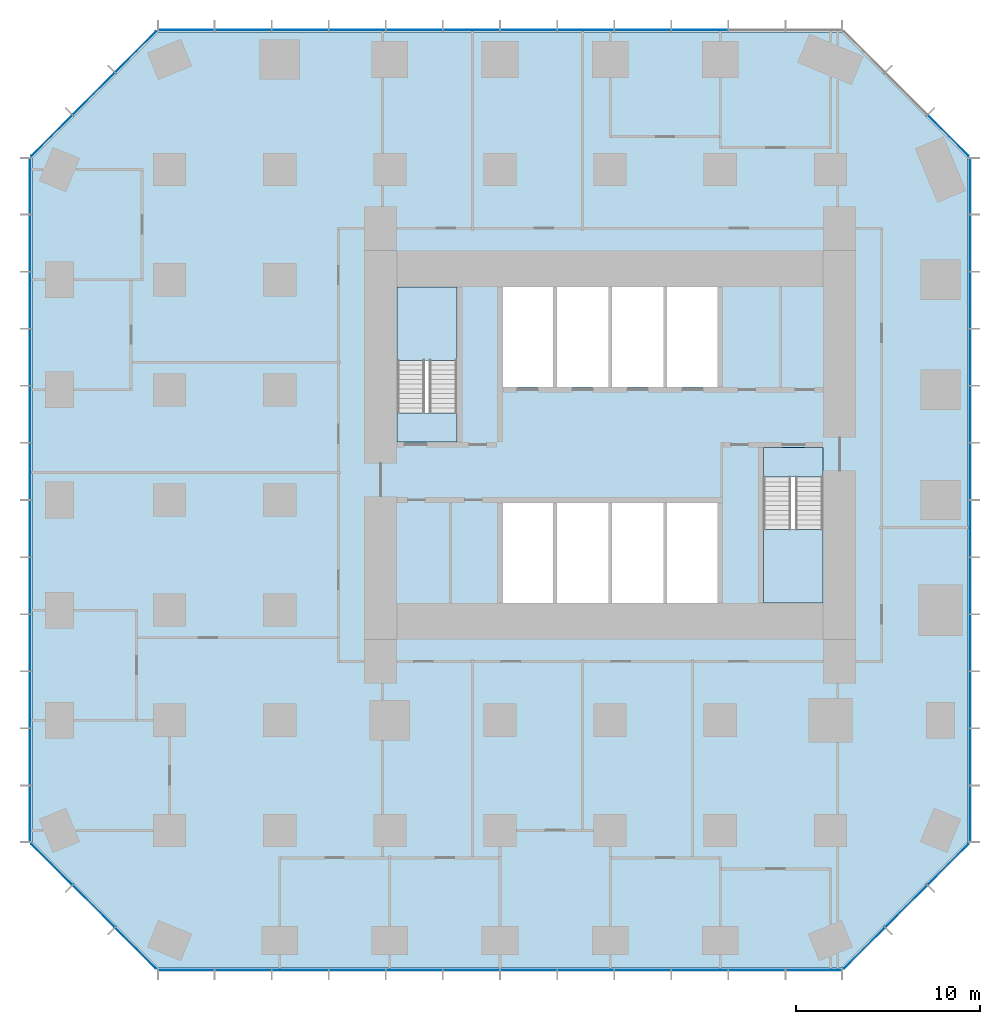
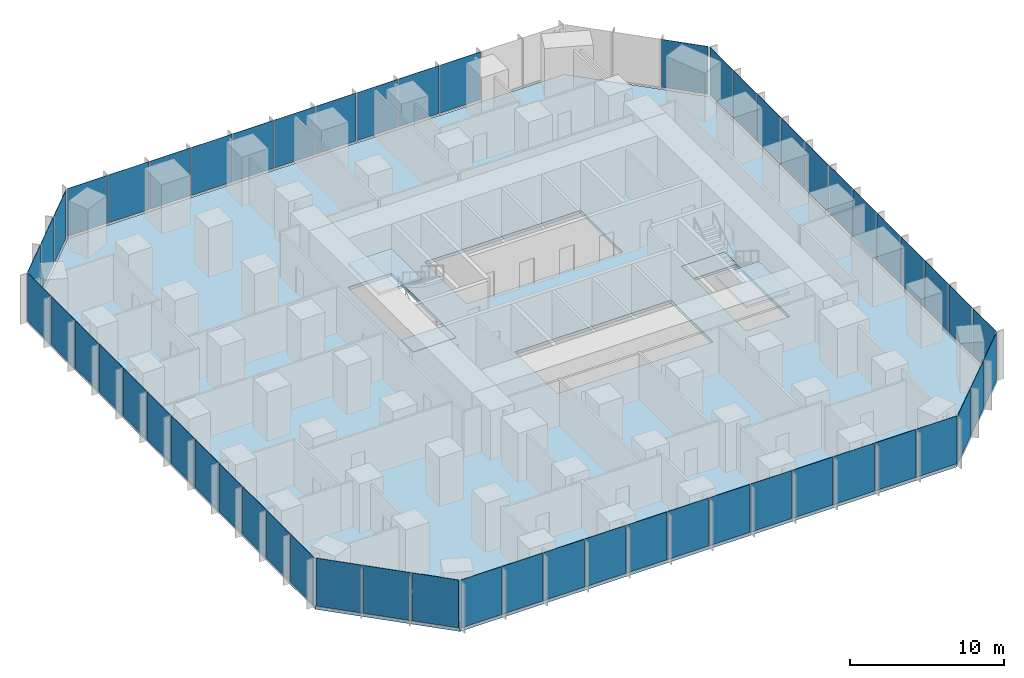
# One storey, part 7 of 12: 56 plates, 5 slabs, 10 elements without a shape of their own.
"""IFC4 building model written with IfcOpenShell, lengths in metres."""

import ifcopenshell
import ifcopenshell.guid

model = None  # the IFC model being written
_history = None  # IfcOwnerHistory: only IFC2X3 demands one
_inside = {}  # id of a spatial element -> (the spatial element, [elements in it])
_under = {}  # id of a project, library or spatial element -> (it, [spatial elements below it])
_declared = {}  # id of a project -> (the project, [libraries it declares])
_typed = {}  # id of a type object -> (the type object, [elements of that type])
_made_of = {}  # id of a material, layer set ... -> (it, [elements and type objects made of it])


def new_model(schema):
    """Start an empty IFC model of exactly this schema.

    Asked for "IFC4X3", IfcOpenShell would pick the latest addendum, in which some entities
    have other attributes; the version numbers below select the first issue.
    IFC2X3 requires an IfcOwnerHistory on every rooted entity: one is made here for all.
    """
    global model, _history
    if schema == "IFC4X3":
        model = ifcopenshell.file(schema_version=(4, 3, 0, 0))
    else:
        model = ifcopenshell.file(schema=schema)
    _inside.clear()
    _under.clear()
    _declared.clear()
    _typed.clear()
    _made_of.clear()
    _history = None
    if model.schema == "IFC2X3":
        org = make("IfcOrganization", Name="unknown")
        user = make(
            "IfcPersonAndOrganization",
            ThePerson=make("IfcPerson", FamilyName="unknown"),
            TheOrganization=org,
        )
        app = make(
            "IfcApplication",
            ApplicationDeveloper=org,
            Version="unknown",
            ApplicationFullName="unknown",
            ApplicationIdentifier="unknown",
        )
        _history = make(
            "IfcOwnerHistory",
            OwningUser=user,
            OwningApplication=app,
            ChangeAction="ADDED",
            CreationDate=0,
        )
    return model


def make(cls, **values):
    """One entity of the class cls with the attributes given. An attribute that is None is left unset."""
    return model.create_entity(
        cls, **{name: value for name, value in values.items() if value is not None}
    )


def rooted(cls, **values):
    """An entity with a GlobalId (a new one), such as an element, a storey or a relation."""
    return make(cls, GlobalId=ifcopenshell.guid.new(), OwnerHistory=_history, **values)


def si_unit(unit_type, name, prefix=None):
    """IfcSIUnit, for example si_unit("LENGTHUNIT", "METRE", prefix="MILLI")."""
    return make("IfcSIUnit", UnitType=unit_type, Prefix=prefix, Name=name)


def assignment(units):
    """IfcUnitAssignment: the units of a project."""
    return None if units is None else make("IfcUnitAssignment", Units=units)


def point(xyz):
    """IfcCartesianPoint."""
    return None if xyz is None else make("IfcCartesianPoint", Coordinates=xyz)


def direction(xyz):
    """IfcDirection."""
    return None if xyz is None else make("IfcDirection", DirectionRatios=xyz)


def frame(location, z_axis=None, x_axis=None):
    """IfcAxis2Placement3D, a coordinate frame: its origin and axes. An axis left out is left unset."""
    return make(
        "IfcAxis2Placement3D",
        Location=point(location),
        Axis=direction(z_axis),
        RefDirection=direction(x_axis),
    )


def frame_2d(location, x_axis=None):
    """IfcAxis2Placement2D, a coordinate frame in the plane: its origin and x axis."""
    return make(
        "IfcAxis2Placement2D", Location=point(location), RefDirection=direction(x_axis)
    )


def origin():
    """The frame at (0, 0, 0) with its axes left unset."""
    return frame((0.0, 0.0, 0.0))


def origin_2d():
    """The frame at (0, 0) in the plane with its x axis left unset."""
    return frame_2d((0.0, 0.0))


def place(relative_to, where):
    """IfcLocalPlacement: puts the frame where relative to a parent placement (None: the world)."""
    return make(
        "IfcLocalPlacement", PlacementRelTo=relative_to, RelativePlacement=where
    )


def context(
    kind, dimensions, precision=None, world=None, true_north=None, identifier=None
):
    """IfcGeometricRepresentationContext, for example the 3D "Model" context."""
    return make(
        "IfcGeometricRepresentationContext",
        ContextIdentifier=identifier,
        ContextType=kind,
        CoordinateSpaceDimension=dimensions,
        Precision=precision,
        WorldCoordinateSystem=world,
        TrueNorth=true_north,
    )


def subcontext(parent, identifier, kind, view, scale=None):
    """IfcGeometricRepresentationSubContext, for example "Body" below "Model"."""
    return make(
        "IfcGeometricRepresentationSubContext",
        ContextIdentifier=identifier,
        ContextType=kind,
        ParentContext=parent,
        TargetScale=scale,
        TargetView=view,
    )


def project(units=None, contexts=None):
    """IfcProject with its units and contexts."""
    return rooted(
        "IfcProject",
        Name="project",
        RepresentationContexts=contexts,
        UnitsInContext=assignment(units),
    )


def spatial(cls, under=None, at=None, **own):
    """A site, building, storey or space (cls), placed at a placement, below another one or the project."""
    s = rooted(cls, ObjectPlacement=at, **own)
    if under is not None:
        _under.setdefault(under.id(), (under, []))[1].append(s)
    return s


def polyline(points):
    """IfcPolyline through the points."""
    return make("IfcPolyline", Points=[point(p) for p in points])


def profile(cls, at=None, kind="AREA", **sizes):
    """A parametric profile (cls). Its sizes go by their IFC names, for example OverallWidth=200.0."""
    return make(cls, ProfileType=kind, Position=at, **sizes)


def rectangle(**sizes):
    """IfcRectangleProfileDef."""
    return profile("IfcRectangleProfileDef", **sizes)


def outline(outer, holes=None, kind="AREA"):
    """IfcArbitraryClosedProfileDef: a profile drawn as a closed curve; with holes, ...WithVoids."""
    if holes is None:
        return make("IfcArbitraryClosedProfileDef", ProfileType=kind, OuterCurve=outer)
    return make(
        "IfcArbitraryProfileDefWithVoids",
        ProfileType=kind,
        OuterCurve=outer,
        InnerCurves=holes,
    )


def extrude(swept, where, along, depth):
    """IfcExtrudedAreaSolid: the profile swept, set in the frame where, extruded along a direction by depth."""
    return make(
        "IfcExtrudedAreaSolid",
        SweptArea=swept,
        Position=where,
        ExtrudedDirection=direction(along),
        Depth=depth,
    )


def shape(context_of_items, identifier, shape_type, items):
    """IfcShapeRepresentation: the items that make up one representation, for example the "Body"."""
    return make(
        "IfcShapeRepresentation",
        ContextOfItems=context_of_items,
        RepresentationIdentifier=identifier,
        RepresentationType=shape_type,
        Items=items,
    )


def material(Name=None, Category=None):
    """IfcMaterial."""
    return make("IfcMaterial", Name=Name, Category=Category)


def layer(
    of_material, thickness, ventilated=None, Name=None, Category=None, Priority=None
):
    """IfcMaterialLayer: one layer of a wall or slab, of a material (None: an air gap)."""
    return make(
        "IfcMaterialLayer",
        Material=of_material,
        LayerThickness=thickness,
        IsVentilated=ventilated,
        Name=Name,
        Category=Category,
        Priority=Priority,
    )


def layer_set(layers, Name=None):
    """IfcMaterialLayerSet."""
    return make("IfcMaterialLayerSet", MaterialLayers=layers, LayerSetName=Name)


def made_of(thing, what):
    """Note that an element or type object is made of a material, layer set ...; save() writes the relation."""
    if what is not None:
        _made_of.setdefault(what.id(), (what, []))[1].append(thing)
    return thing


def type_object(cls, material=None, **own):
    """A type object (cls), such as IfcWallType, which elements share."""
    return made_of(rooted(cls, **own), material)


def element(
    cls,
    number,
    at=None,
    inside=None,
    cuts=None,
    type_object=None,
    material=None,
    context=None,
    identifier="Body",
    shape_type=None,
    held_by="IfcProductDefinitionShape",
    body=None,
    shapes=None,
    **own,
):
    """One element of the class cls, such as IfcWall. Its Tag is "e" and its number.

    at: its placement. inside: the storey or other place that contains it. cuts: it is an
    opening in that element (IfcRelVoidsElement). A single representation is given by context,
    identifier, shape_type and body (its items); several are given by shapes. held_by: the class
    of the entity that holds the representations. save() writes the other relations.
    """
    e = rooted(cls, Tag="e%d" % number, ObjectPlacement=at, **own)
    if body is not None:
        shapes = [shape(context, identifier, shape_type, body)]
    if shapes is not None:
        e.Representation = make(held_by, Representations=shapes)
    if inside is not None:
        _inside.setdefault(inside.id(), (inside, []))[1].append(e)
    if cuts is not None:
        rooted(
            "IfcRelVoidsElement", RelatingBuildingElement=cuts, RelatedOpeningElement=e
        )
    if type_object is not None:
        _typed.setdefault(type_object.id(), (type_object, []))[1].append(e)
    return made_of(e, material)


def aggregate(whole, parts):
    """IfcRelAggregates: a whole, such as a stair, and the parts it consists of."""
    return rooted("IfcRelAggregates", RelatingObject=whole, RelatedObjects=parts)


def save(model, path):
    """Write the relations noted so far, then the file.

    IfcRelAggregates (storeys below a building ...), IfcRelContainedInSpatialStructure (elements
    in a storey), IfcRelDefinesByType, IfcRelAssociatesMaterial and IfcRelDeclares: one each for
    every whole, place, type object, material and project.
    """
    for whole, parts in _under.values():
        aggregate(whole, parts)
    for where, things in _inside.values():
        rooted(
            "IfcRelContainedInSpatialStructure",
            RelatedElements=things,
            RelatingStructure=where,
        )
    for kind, things in _typed.values():
        rooted("IfcRelDefinesByType", RelatedObjects=things, RelatingType=kind)
    for what, things in _made_of.values():
        rooted("IfcRelAssociatesMaterial", RelatedObjects=things, RelatingMaterial=what)
    for by, libraries in _declared.values():
        rooted("IfcRelDeclares", RelatingContext=by, RelatedDefinitions=libraries)
    model.write(path)


model = new_model("IFC4")

# Units and contexts
model_context = context("Model", 3, precision=1e-05, world=origin(), true_north=direction((0.0, 1.0)))
body_context = subcontext(model_context, "Body", "Model", "MODEL_VIEW")
ifc_project = project(units=[si_unit("LENGTHUNIT", "METRE"), si_unit("AREAUNIT", "SQUARE_METRE"), si_unit("VOLUMEUNIT", "CUBIC_METRE"), si_unit("PLANEANGLEUNIT", "RADIAN"), si_unit("MASSUNIT", "GRAM", prefix="KILO")], contexts=[model_context])

# Site, building, storey
site_placement = place(None, origin())
site = spatial("IfcSite", under=ifc_project, at=site_placement, CompositionType="ELEMENT")
building_placement = place(site_placement, origin())
building = spatial("IfcBuilding", under=site, at=building_placement, Name="Highveld Stack Headquarters", CompositionType="ELEMENT")
storey_placement = place(building_placement, frame((0.0, 0.0, 26.0)))
storey = spatial("IfcBuildingStorey", under=building, at=storey_placement, Name="L05", CompositionType="ELEMENT", Elevation=26.0)

# Curtain wall, plates
ifc_material_1 = material(Name="Aluminium bronze anodised", Category="aluminium")
ifc_layer_1 = layer(ifc_material_1, 0.199951171875)
ifc_layer_set_1 = layer_set([ifc_layer_1], Name="Aluminium bronze anodised")
curtain_wall_type_1 = type_object("IfcCurtainWallType", Name="CW1 TOWER UNITISED CURTAIN WALL", PredefinedType="NOTDEFINED", material=ifc_layer_set_1)
curtain_wall_1_placement = place(storey_placement, origin())
curtain_wall_1 = element("IfcCurtainWall", 1, at=curtain_wall_1_placement, inside=storey, type_object=curtain_wall_type_1, Name="Curtain wall CW1 L05 S", PredefinedType="NOTDEFINED")
ifc_material_2 = material(Name="Glass bronze tinted double glazed unit", Category="glass")
ifc_layer_2 = layer(ifc_material_2, 0.028076171875)
ifc_layer_set_2 = layer_set([ifc_layer_2], Name="Glass bronze tinted double glazed unit")
plate_type_1 = type_object("IfcPlateType", Name="CW1 PANEL BRONZE TINTED DOUBLE GLAZED UNIT", PredefinedType="CURTAIN_PANEL", material=ifc_layer_set_2)
plate_1_placement = place(storey_placement, frame((-17.09130859375, -25.60009765625, 0.10009765625), z_axis=(0.0, 0.0, 1.0), x_axis=(1.0, 0.0, 0.0)))
plate_1 = element("IfcPlate", 2, at=plate_1_placement, type_object=plate_type_1, Name="CW1 panel L05 1.1", PredefinedType="CURTAIN_PANEL", context=body_context, shape_type="SweptSolid", body=[
    extrude(rectangle(XDim=3.012939453125, YDim=0.028076171875, at=origin_2d()), origin(), (0.0, 0.0, 1.0), 3.800048828125),
])
plate_2_placement = place(storey_placement, frame((-13.9970703125, -25.60009765625, 0.10009765625), z_axis=(0.0, 0.0, 1.0), x_axis=(1.0, 0.0, 0.0)))
plate_2 = element("IfcPlate", 3, at=plate_2_placement, type_object=plate_type_1, Name="CW1 panel L05 2.1", PredefinedType="CURTAIN_PANEL", context=body_context, shape_type="SweptSolid", body=[
    extrude(rectangle(XDim=3.04541015625, YDim=0.028076171875, at=origin_2d()), origin(), (0.0, 0.0, 1.0), 3.800048828125),
])
plate_3_placement = place(storey_placement, frame((-10.88671875, -25.60009765625, 0.10009765625), z_axis=(0.0, 0.0, 1.0), x_axis=(1.0, 0.0, 0.0)))
plate_3 = element("IfcPlate", 4, at=plate_3_placement, type_object=plate_type_1, Name="CW1 panel L05 3.1", PredefinedType="CURTAIN_PANEL", context=body_context, shape_type="SweptSolid", body=[
    extrude(rectangle(XDim=3.04541015625, YDim=0.028076171875, at=origin_2d()), origin(), (0.0, 0.0, 1.0), 3.800048828125),
])
plate_4_placement = place(storey_placement, frame((-7.776123046875, -25.60009765625, 0.10009765625), z_axis=(0.0, 0.0, 1.0), x_axis=(1.0, 0.0, 0.0)))
plate_4 = element("IfcPlate", 5, at=plate_4_placement, type_object=plate_type_1, Name="CW1 panel L05 4.1", PredefinedType="CURTAIN_PANEL", context=body_context, shape_type="SweptSolid", body=[
    extrude(rectangle(XDim=3.04541015625, YDim=0.028076171875, at=origin_2d()), origin(), (0.0, 0.0, 1.0), 3.800048828125),
])
plate_5_placement = place(storey_placement, frame((-4.665771484375, -25.60009765625, 0.10009765625), z_axis=(0.0, 0.0, 1.0), x_axis=(1.0, 0.0, 0.0)))
plate_5 = element("IfcPlate", 6, at=plate_5_placement, type_object=plate_type_1, Name="CW1 panel L05 5.1", PredefinedType="CURTAIN_PANEL", context=body_context, shape_type="SweptSolid", body=[
    extrude(rectangle(XDim=3.04541015625, YDim=0.028076171875, at=origin_2d()), origin(), (0.0, 0.0, 1.0), 3.800048828125),
])
plate_6_placement = place(storey_placement, frame((-1.55517578125, -25.60009765625, 0.10009765625), z_axis=(0.0, 0.0, 1.0), x_axis=(1.0, 0.0, 0.0)))
plate_6 = element("IfcPlate", 7, at=plate_6_placement, type_object=plate_type_1, Name="CW1 panel L05 6.1", PredefinedType="CURTAIN_PANEL", context=body_context, shape_type="SweptSolid", body=[
    extrude(rectangle(XDim=3.04541015625, YDim=0.028076171875, at=origin_2d()), origin(), (0.0, 0.0, 1.0), 3.800048828125),
])
plate_7_placement = place(storey_placement, frame((1.55517578125, -25.60009765625, 0.10009765625), z_axis=(0.0, 0.0, 1.0), x_axis=(1.0, 0.0, 0.0)))
plate_7 = element("IfcPlate", 8, at=plate_7_placement, type_object=plate_type_1, Name="CW1 panel L05 7.1", PredefinedType="CURTAIN_PANEL", context=body_context, shape_type="SweptSolid", body=[
    extrude(rectangle(XDim=3.04541015625, YDim=0.028076171875, at=origin_2d()), origin(), (0.0, 0.0, 1.0), 3.800048828125),
])
plate_8_placement = place(storey_placement, frame((4.665771484375, -25.60009765625, 0.10009765625), z_axis=(0.0, 0.0, 1.0), x_axis=(1.0, 0.0, 0.0)))
plate_8 = element("IfcPlate", 9, at=plate_8_placement, type_object=plate_type_1, Name="CW1 panel L05 8.1", PredefinedType="CURTAIN_PANEL", context=body_context, shape_type="SweptSolid", body=[
    extrude(rectangle(XDim=3.04541015625, YDim=0.028076171875, at=origin_2d()), origin(), (0.0, 0.0, 1.0), 3.800048828125),
])
plate_9_placement = place(storey_placement, frame((7.776123046875, -25.60009765625, 0.10009765625), z_axis=(0.0, 0.0, 1.0), x_axis=(1.0, 0.0, 0.0)))
plate_9 = element("IfcPlate", 10, at=plate_9_placement, type_object=plate_type_1, Name="CW1 panel L05 9.1", PredefinedType="CURTAIN_PANEL", context=body_context, shape_type="SweptSolid", body=[
    extrude(rectangle(XDim=3.04541015625, YDim=0.028076171875, at=origin_2d()), origin(), (0.0, 0.0, 1.0), 3.800048828125),
])
plate_10_placement = place(storey_placement, frame((10.88671875, -25.60009765625, 0.10009765625), z_axis=(0.0, 0.0, 1.0), x_axis=(1.0, 0.0, 0.0)))
plate_10 = element("IfcPlate", 11, at=plate_10_placement, type_object=plate_type_1, Name="CW1 panel L05 10.1", PredefinedType="CURTAIN_PANEL", context=body_context, shape_type="SweptSolid", body=[
    extrude(rectangle(XDim=3.04541015625, YDim=0.028076171875, at=origin_2d()), origin(), (0.0, 0.0, 1.0), 3.800048828125),
])
plate_11_placement = place(storey_placement, frame((13.9970703125, -25.60009765625, 0.10009765625), z_axis=(0.0, 0.0, 1.0), x_axis=(1.0, 0.0, 0.0)))
plate_11 = element("IfcPlate", 12, at=plate_11_placement, type_object=plate_type_1, Name="CW1 panel L05 11.1", PredefinedType="CURTAIN_PANEL", context=body_context, shape_type="SweptSolid", body=[
    extrude(rectangle(XDim=3.04541015625, YDim=0.028076171875, at=origin_2d()), origin(), (0.0, 0.0, 1.0), 3.800048828125),
])
plate_12_placement = place(storey_placement, frame((17.09130859375, -25.60009765625, 0.10009765625), z_axis=(0.0, 0.0, 1.0), x_axis=(1.0, 0.0, 0.0)))
plate_12 = element("IfcPlate", 13, at=plate_12_placement, type_object=plate_type_1, Name="CW1 panel L05 12.1", PredefinedType="CURTAIN_PANEL", context=body_context, shape_type="SweptSolid", body=[
    extrude(rectangle(XDim=3.012939453125, YDim=0.028076171875, at=origin_2d()), origin(), (0.0, 0.0, 1.0), 3.800048828125),
])
aggregate(curtain_wall_1, [plate_1, plate_2, plate_3, plate_4, plate_5, plate_6, plate_7, plate_8, plate_9, plate_10, plate_11, plate_12])

curtain_wall_2_placement = place(storey_placement, origin())
curtain_wall_2 = element("IfcCurtainWall", 14, at=curtain_wall_2_placement, inside=storey, type_object=curtain_wall_type_1, Name="Curtain wall CW1 L05 E", PredefinedType="NOTDEFINED")
plate_13_placement = place(storey_placement, frame((25.60009765625, -17.09130859375, 0.10009765625), z_axis=(0.0, 0.0, 1.0), x_axis=(0.0, 1.0, 0.0)))
plate_13 = element("IfcPlate", 15, at=plate_13_placement, type_object=plate_type_1, Name="CW1 panel L05 1.1", PredefinedType="CURTAIN_PANEL", context=body_context, shape_type="SweptSolid", body=[
    extrude(rectangle(XDim=3.012939453125, YDim=0.028076171875, at=origin_2d()), origin(), (0.0, 0.0, 1.0), 3.800048828125),
])
plate_14_placement = place(storey_placement, frame((25.60009765625, -13.9970703125, 0.10009765625), z_axis=(0.0, 0.0, 1.0), x_axis=(0.0, 1.0, 0.0)))
plate_14 = element("IfcPlate", 16, at=plate_14_placement, type_object=plate_type_1, Name="CW1 panel L05 2.1", PredefinedType="CURTAIN_PANEL", context=body_context, shape_type="SweptSolid", body=[
    extrude(rectangle(XDim=3.04541015625, YDim=0.028076171875, at=origin_2d()), origin(), (0.0, 0.0, 1.0), 3.800048828125),
])
plate_15_placement = place(storey_placement, frame((25.60009765625, -10.88671875, 0.10009765625), z_axis=(0.0, 0.0, 1.0), x_axis=(0.0, 1.0, 0.0)))
plate_15 = element("IfcPlate", 17, at=plate_15_placement, type_object=plate_type_1, Name="CW1 panel L05 3.1", PredefinedType="CURTAIN_PANEL", context=body_context, shape_type="SweptSolid", body=[
    extrude(rectangle(XDim=3.04541015625, YDim=0.028076171875, at=origin_2d()), origin(), (0.0, 0.0, 1.0), 3.800048828125),
])
plate_16_placement = place(storey_placement, frame((25.60009765625, -7.776123046875, 0.10009765625), z_axis=(0.0, 0.0, 1.0), x_axis=(0.0, 1.0, 0.0)))
plate_16 = element("IfcPlate", 18, at=plate_16_placement, type_object=plate_type_1, Name="CW1 panel L05 4.1", PredefinedType="CURTAIN_PANEL", context=body_context, shape_type="SweptSolid", body=[
    extrude(rectangle(XDim=3.04541015625, YDim=0.028076171875, at=origin_2d()), origin(), (0.0, 0.0, 1.0), 3.800048828125),
])
plate_17_placement = place(storey_placement, frame((25.60009765625, -4.665771484375, 0.10009765625), z_axis=(0.0, 0.0, 1.0), x_axis=(0.0, 1.0, 0.0)))
plate_17 = element("IfcPlate", 19, at=plate_17_placement, type_object=plate_type_1, Name="CW1 panel L05 5.1", PredefinedType="CURTAIN_PANEL", context=body_context, shape_type="SweptSolid", body=[
    extrude(rectangle(XDim=3.04541015625, YDim=0.028076171875, at=origin_2d()), origin(), (0.0, 0.0, 1.0), 3.800048828125),
])
plate_18_placement = place(storey_placement, frame((25.60009765625, -1.55517578125, 0.10009765625), z_axis=(0.0, 0.0, 1.0), x_axis=(0.0, 1.0, 0.0)))
plate_18 = element("IfcPlate", 20, at=plate_18_placement, type_object=plate_type_1, Name="CW1 panel L05 6.1", PredefinedType="CURTAIN_PANEL", context=body_context, shape_type="SweptSolid", body=[
    extrude(rectangle(XDim=3.04541015625, YDim=0.028076171875, at=origin_2d()), origin(), (0.0, 0.0, 1.0), 3.800048828125),
])
plate_19_placement = place(storey_placement, frame((25.60009765625, 1.55517578125, 0.10009765625), z_axis=(0.0, 0.0, 1.0), x_axis=(0.0, 1.0, 0.0)))
plate_19 = element("IfcPlate", 21, at=plate_19_placement, type_object=plate_type_1, Name="CW1 panel L05 7.1", PredefinedType="CURTAIN_PANEL", context=body_context, shape_type="SweptSolid", body=[
    extrude(rectangle(XDim=3.04541015625, YDim=0.028076171875, at=origin_2d()), origin(), (0.0, 0.0, 1.0), 3.800048828125),
])
plate_20_placement = place(storey_placement, frame((25.60009765625, 4.665771484375, 0.10009765625), z_axis=(0.0, 0.0, 1.0), x_axis=(0.0, 1.0, 0.0)))
plate_20 = element("IfcPlate", 22, at=plate_20_placement, type_object=plate_type_1, Name="CW1 panel L05 8.1", PredefinedType="CURTAIN_PANEL", context=body_context, shape_type="SweptSolid", body=[
    extrude(rectangle(XDim=3.04541015625, YDim=0.028076171875, at=origin_2d()), origin(), (0.0, 0.0, 1.0), 3.800048828125),
])
plate_21_placement = place(storey_placement, frame((25.60009765625, 7.776123046875, 0.10009765625), z_axis=(0.0, 0.0, 1.0), x_axis=(0.0, 1.0, 0.0)))
plate_21 = element("IfcPlate", 23, at=plate_21_placement, type_object=plate_type_1, Name="CW1 panel L05 9.1", PredefinedType="CURTAIN_PANEL", context=body_context, shape_type="SweptSolid", body=[
    extrude(rectangle(XDim=3.04541015625, YDim=0.028076171875, at=origin_2d()), origin(), (0.0, 0.0, 1.0), 3.800048828125),
])
plate_22_placement = place(storey_placement, frame((25.60009765625, 10.88671875, 0.10009765625), z_axis=(0.0, 0.0, 1.0), x_axis=(0.0, 1.0, 0.0)))
plate_22 = element("IfcPlate", 24, at=plate_22_placement, type_object=plate_type_1, Name="CW1 panel L05 10.1", PredefinedType="CURTAIN_PANEL", context=body_context, shape_type="SweptSolid", body=[
    extrude(rectangle(XDim=3.04541015625, YDim=0.028076171875, at=origin_2d()), origin(), (0.0, 0.0, 1.0), 3.800048828125),
])
plate_23_placement = place(storey_placement, frame((25.60009765625, 13.9970703125, 0.10009765625), z_axis=(0.0, 0.0, 1.0), x_axis=(0.0, 1.0, 0.0)))
plate_23 = element("IfcPlate", 25, at=plate_23_placement, type_object=plate_type_1, Name="CW1 panel L05 11.1", PredefinedType="CURTAIN_PANEL", context=body_context, shape_type="SweptSolid", body=[
    extrude(rectangle(XDim=3.04541015625, YDim=0.028076171875, at=origin_2d()), origin(), (0.0, 0.0, 1.0), 3.800048828125),
])
plate_24_placement = place(storey_placement, frame((25.60009765625, 17.09130859375, 0.10009765625), z_axis=(0.0, 0.0, 1.0), x_axis=(0.0, 1.0, 0.0)))
plate_24 = element("IfcPlate", 26, at=plate_24_placement, type_object=plate_type_1, Name="CW1 panel L05 12.1", PredefinedType="CURTAIN_PANEL", context=body_context, shape_type="SweptSolid", body=[
    extrude(rectangle(XDim=3.012939453125, YDim=0.028076171875, at=origin_2d()), origin(), (0.0, 0.0, 1.0), 3.800048828125),
])
aggregate(curtain_wall_2, [plate_13, plate_14, plate_15, plate_16, plate_17, plate_18, plate_19, plate_20, plate_21, plate_22, plate_23, plate_24])

curtain_wall_3_placement = place(storey_placement, origin())
curtain_wall_3 = element("IfcCurtainWall", 27, at=curtain_wall_3_placement, inside=storey, type_object=curtain_wall_type_1, Name="Curtain wall CW1 L05 N", PredefinedType="NOTDEFINED")
plate_25_placement = place(storey_placement, frame((10.88671875, 25.60009765625, 0.10009765625), z_axis=(0.0, 0.0, 1.0), x_axis=(-1.0, 0.0, 0.0)))
plate_25 = element("IfcPlate", 28, at=plate_25_placement, type_object=plate_type_1, Name="CW1 panel L05 3.1", PredefinedType="CURTAIN_PANEL", context=body_context, shape_type="SweptSolid", body=[
    extrude(rectangle(XDim=3.04541015625, YDim=0.028076171875, at=origin_2d()), origin(), (0.0, 0.0, 1.0), 3.800048828125),
])
plate_26_placement = place(storey_placement, frame((7.776123046875, 25.60009765625, 0.10009765625), z_axis=(0.0, 0.0, 1.0), x_axis=(-1.0, 0.0, 0.0)))
plate_26 = element("IfcPlate", 29, at=plate_26_placement, type_object=plate_type_1, Name="CW1 panel L05 4.1", PredefinedType="CURTAIN_PANEL", context=body_context, shape_type="SweptSolid", body=[
    extrude(rectangle(XDim=3.04541015625, YDim=0.028076171875, at=origin_2d()), origin(), (0.0, 0.0, 1.0), 3.800048828125),
])
plate_27_placement = place(storey_placement, frame((4.665771484375, 25.60009765625, 0.10009765625), z_axis=(0.0, 0.0, 1.0), x_axis=(-1.0, 0.0, 0.0)))
plate_27 = element("IfcPlate", 30, at=plate_27_placement, type_object=plate_type_1, Name="CW1 panel L05 5.1", PredefinedType="CURTAIN_PANEL", context=body_context, shape_type="SweptSolid", body=[
    extrude(rectangle(XDim=3.04541015625, YDim=0.028076171875, at=origin_2d()), origin(), (0.0, 0.0, 1.0), 3.800048828125),
])
plate_28_placement = place(storey_placement, frame((1.55517578125, 25.60009765625, 0.10009765625), z_axis=(0.0, 0.0, 1.0), x_axis=(-1.0, 0.0, 0.0)))
plate_28 = element("IfcPlate", 31, at=plate_28_placement, type_object=plate_type_1, Name="CW1 panel L05 6.1", PredefinedType="CURTAIN_PANEL", context=body_context, shape_type="SweptSolid", body=[
    extrude(rectangle(XDim=3.04541015625, YDim=0.028076171875, at=origin_2d()), origin(), (0.0, 0.0, 1.0), 3.800048828125),
])
plate_29_placement = place(storey_placement, frame((-1.55517578125, 25.60009765625, 0.10009765625), z_axis=(0.0, 0.0, 1.0), x_axis=(-1.0, 0.0, 0.0)))
plate_29 = element("IfcPlate", 32, at=plate_29_placement, type_object=plate_type_1, Name="CW1 panel L05 7.1", PredefinedType="CURTAIN_PANEL", context=body_context, shape_type="SweptSolid", body=[
    extrude(rectangle(XDim=3.04541015625, YDim=0.028076171875, at=origin_2d()), origin(), (0.0, 0.0, 1.0), 3.800048828125),
])
plate_30_placement = place(storey_placement, frame((-4.665771484375, 25.60009765625, 0.10009765625), z_axis=(0.0, 0.0, 1.0), x_axis=(-1.0, 0.0, 0.0)))
plate_30 = element("IfcPlate", 33, at=plate_30_placement, type_object=plate_type_1, Name="CW1 panel L05 8.1", PredefinedType="CURTAIN_PANEL", context=body_context, shape_type="SweptSolid", body=[
    extrude(rectangle(XDim=3.04541015625, YDim=0.028076171875, at=origin_2d()), origin(), (0.0, 0.0, 1.0), 3.800048828125),
])
plate_31_placement = place(storey_placement, frame((-7.776123046875, 25.60009765625, 0.10009765625), z_axis=(0.0, 0.0, 1.0), x_axis=(-1.0, 0.0, 0.0)))
plate_31 = element("IfcPlate", 34, at=plate_31_placement, type_object=plate_type_1, Name="CW1 panel L05 9.1", PredefinedType="CURTAIN_PANEL", context=body_context, shape_type="SweptSolid", body=[
    extrude(rectangle(XDim=3.04541015625, YDim=0.028076171875, at=origin_2d()), origin(), (0.0, 0.0, 1.0), 3.800048828125),
])
plate_32_placement = place(storey_placement, frame((-10.88671875, 25.60009765625, 0.10009765625), z_axis=(0.0, 0.0, 1.0), x_axis=(-1.0, 0.0, 0.0)))
plate_32 = element("IfcPlate", 35, at=plate_32_placement, type_object=plate_type_1, Name="CW1 panel L05 10.1", PredefinedType="CURTAIN_PANEL", context=body_context, shape_type="SweptSolid", body=[
    extrude(rectangle(XDim=3.04541015625, YDim=0.028076171875, at=origin_2d()), origin(), (0.0, 0.0, 1.0), 3.800048828125),
])
plate_33_placement = place(storey_placement, frame((-13.9970703125, 25.60009765625, 0.10009765625), z_axis=(0.0, 0.0, 1.0), x_axis=(-1.0, 0.0, 0.0)))
plate_33 = element("IfcPlate", 36, at=plate_33_placement, type_object=plate_type_1, Name="CW1 panel L05 11.1", PredefinedType="CURTAIN_PANEL", context=body_context, shape_type="SweptSolid", body=[
    extrude(rectangle(XDim=3.04541015625, YDim=0.028076171875, at=origin_2d()), origin(), (0.0, 0.0, 1.0), 3.800048828125),
])
plate_34_placement = place(storey_placement, frame((-17.09130859375, 25.60009765625, 0.10009765625), z_axis=(0.0, 0.0, 1.0), x_axis=(-1.0, 0.0, 0.0)))
plate_34 = element("IfcPlate", 37, at=plate_34_placement, type_object=plate_type_1, Name="CW1 panel L05 12.1", PredefinedType="CURTAIN_PANEL", context=body_context, shape_type="SweptSolid", body=[
    extrude(rectangle(XDim=3.012939453125, YDim=0.028076171875, at=origin_2d()), origin(), (0.0, 0.0, 1.0), 3.800048828125),
])
aggregate(curtain_wall_3, [plate_25, plate_26, plate_27, plate_28, plate_29, plate_30, plate_31, plate_32, plate_33, plate_34])

curtain_wall_4_placement = place(storey_placement, origin())
curtain_wall_4 = element("IfcCurtainWall", 38, at=curtain_wall_4_placement, inside=storey, type_object=curtain_wall_type_1, Name="Curtain wall CW1 L05 W", PredefinedType="NOTDEFINED")
plate_35_placement = place(storey_placement, frame((-25.60009765625, 17.09130859375, 0.10009765625), z_axis=(0.0, 0.0, 1.0), x_axis=(0.0, -1.0, 0.0)))
plate_35 = element("IfcPlate", 39, at=plate_35_placement, type_object=plate_type_1, Name="CW1 panel L05 1.1", PredefinedType="CURTAIN_PANEL", context=body_context, shape_type="SweptSolid", body=[
    extrude(rectangle(XDim=3.012939453125, YDim=0.028076171875, at=origin_2d()), origin(), (0.0, 0.0, 1.0), 3.800048828125),
])
plate_36_placement = place(storey_placement, frame((-25.60009765625, 13.9970703125, 0.10009765625), z_axis=(0.0, 0.0, 1.0), x_axis=(0.0, -1.0, 0.0)))
plate_36 = element("IfcPlate", 40, at=plate_36_placement, type_object=plate_type_1, Name="CW1 panel L05 2.1", PredefinedType="CURTAIN_PANEL", context=body_context, shape_type="SweptSolid", body=[
    extrude(rectangle(XDim=3.04541015625, YDim=0.028076171875, at=origin_2d()), origin(), (0.0, 0.0, 1.0), 3.800048828125),
])
plate_37_placement = place(storey_placement, frame((-25.60009765625, 10.88671875, 0.10009765625), z_axis=(0.0, 0.0, 1.0), x_axis=(0.0, -1.0, 0.0)))
plate_37 = element("IfcPlate", 41, at=plate_37_placement, type_object=plate_type_1, Name="CW1 panel L05 3.1", PredefinedType="CURTAIN_PANEL", context=body_context, shape_type="SweptSolid", body=[
    extrude(rectangle(XDim=3.04541015625, YDim=0.028076171875, at=origin_2d()), origin(), (0.0, 0.0, 1.0), 3.800048828125),
])
plate_38_placement = place(storey_placement, frame((-25.60009765625, 7.776123046875, 0.10009765625), z_axis=(0.0, 0.0, 1.0), x_axis=(0.0, -1.0, 0.0)))
plate_38 = element("IfcPlate", 42, at=plate_38_placement, type_object=plate_type_1, Name="CW1 panel L05 4.1", PredefinedType="CURTAIN_PANEL", context=body_context, shape_type="SweptSolid", body=[
    extrude(rectangle(XDim=3.04541015625, YDim=0.028076171875, at=origin_2d()), origin(), (0.0, 0.0, 1.0), 3.800048828125),
])
plate_39_placement = place(storey_placement, frame((-25.60009765625, 4.665771484375, 0.10009765625), z_axis=(0.0, 0.0, 1.0), x_axis=(0.0, -1.0, 0.0)))
plate_39 = element("IfcPlate", 43, at=plate_39_placement, type_object=plate_type_1, Name="CW1 panel L05 5.1", PredefinedType="CURTAIN_PANEL", context=body_context, shape_type="SweptSolid", body=[
    extrude(rectangle(XDim=3.04541015625, YDim=0.028076171875, at=origin_2d()), origin(), (0.0, 0.0, 1.0), 3.800048828125),
])
plate_40_placement = place(storey_placement, frame((-25.60009765625, 1.55517578125, 0.10009765625), z_axis=(0.0, 0.0, 1.0), x_axis=(0.0, -1.0, 0.0)))
plate_40 = element("IfcPlate", 44, at=plate_40_placement, type_object=plate_type_1, Name="CW1 panel L05 6.1", PredefinedType="CURTAIN_PANEL", context=body_context, shape_type="SweptSolid", body=[
    extrude(rectangle(XDim=3.04541015625, YDim=0.028076171875, at=origin_2d()), origin(), (0.0, 0.0, 1.0), 3.800048828125),
])
plate_41_placement = place(storey_placement, frame((-25.60009765625, -1.55517578125, 0.10009765625), z_axis=(0.0, 0.0, 1.0), x_axis=(0.0, -1.0, 0.0)))
plate_41 = element("IfcPlate", 45, at=plate_41_placement, type_object=plate_type_1, Name="CW1 panel L05 7.1", PredefinedType="CURTAIN_PANEL", context=body_context, shape_type="SweptSolid", body=[
    extrude(rectangle(XDim=3.04541015625, YDim=0.028076171875, at=origin_2d()), origin(), (0.0, 0.0, 1.0), 3.800048828125),
])
plate_42_placement = place(storey_placement, frame((-25.60009765625, -4.665771484375, 0.10009765625), z_axis=(0.0, 0.0, 1.0), x_axis=(0.0, -1.0, 0.0)))
plate_42 = element("IfcPlate", 46, at=plate_42_placement, type_object=plate_type_1, Name="CW1 panel L05 8.1", PredefinedType="CURTAIN_PANEL", context=body_context, shape_type="SweptSolid", body=[
    extrude(rectangle(XDim=3.04541015625, YDim=0.028076171875, at=origin_2d()), origin(), (0.0, 0.0, 1.0), 3.800048828125),
])
plate_43_placement = place(storey_placement, frame((-25.60009765625, -7.776123046875, 0.10009765625), z_axis=(0.0, 0.0, 1.0), x_axis=(0.0, -1.0, 0.0)))
plate_43 = element("IfcPlate", 47, at=plate_43_placement, type_object=plate_type_1, Name="CW1 panel L05 9.1", PredefinedType="CURTAIN_PANEL", context=body_context, shape_type="SweptSolid", body=[
    extrude(rectangle(XDim=3.04541015625, YDim=0.028076171875, at=origin_2d()), origin(), (0.0, 0.0, 1.0), 3.800048828125),
])
plate_44_placement = place(storey_placement, frame((-25.60009765625, -10.88671875, 0.10009765625), z_axis=(0.0, 0.0, 1.0), x_axis=(0.0, -1.0, 0.0)))
plate_44 = element("IfcPlate", 48, at=plate_44_placement, type_object=plate_type_1, Name="CW1 panel L05 10.1", PredefinedType="CURTAIN_PANEL", context=body_context, shape_type="SweptSolid", body=[
    extrude(rectangle(XDim=3.04541015625, YDim=0.028076171875, at=origin_2d()), origin(), (0.0, 0.0, 1.0), 3.800048828125),
])
plate_45_placement = place(storey_placement, frame((-25.60009765625, -13.9970703125, 0.10009765625), z_axis=(0.0, 0.0, 1.0), x_axis=(0.0, -1.0, 0.0)))
plate_45 = element("IfcPlate", 49, at=plate_45_placement, type_object=plate_type_1, Name="CW1 panel L05 11.1", PredefinedType="CURTAIN_PANEL", context=body_context, shape_type="SweptSolid", body=[
    extrude(rectangle(XDim=3.04541015625, YDim=0.028076171875, at=origin_2d()), origin(), (0.0, 0.0, 1.0), 3.800048828125),
])
plate_46_placement = place(storey_placement, frame((-25.60009765625, -17.09130859375, 0.10009765625), z_axis=(0.0, 0.0, 1.0), x_axis=(0.0, -1.0, 0.0)))
plate_46 = element("IfcPlate", 50, at=plate_46_placement, type_object=plate_type_1, Name="CW1 panel L05 12.1", PredefinedType="CURTAIN_PANEL", context=body_context, shape_type="SweptSolid", body=[
    extrude(rectangle(XDim=3.012939453125, YDim=0.028076171875, at=origin_2d()), origin(), (0.0, 0.0, 1.0), 3.800048828125),
])
aggregate(curtain_wall_4, [plate_35, plate_36, plate_37, plate_38, plate_39, plate_40, plate_41, plate_42, plate_43, plate_44, plate_45, plate_46])

ifc_material_3 = material(Name="Aluminium bronze anodised", Category="aluminium")
ifc_layer_3 = layer(ifc_material_3, 0.199951171875)
ifc_layer_set_3 = layer_set([ifc_layer_3], Name="Aluminium bronze anodised")
curtain_wall_type_2 = type_object("IfcCurtainWallType", Name="CW2 TOWER CHAMFER UNITISED CURTAIN WALL", PredefinedType="NOTDEFINED", material=ifc_layer_set_3)
curtain_wall_5_placement = place(storey_placement, origin())
curtain_wall_5 = element("IfcCurtainWall", 51, at=curtain_wall_5_placement, inside=storey, type_object=curtain_wall_type_2, Name="Curtain wall CW2 L05 SE", PredefinedType="NOTDEFINED")
ifc_material_4 = material(Name="Glass bronze tinted double glazed unit", Category="glass")
ifc_layer_4 = layer(ifc_material_4, 0.028076171875)
ifc_layer_set_4 = layer_set([ifc_layer_4], Name="Glass bronze tinted double glazed unit")
plate_type_2 = type_object("IfcPlateType", Name="CW2 PANEL BRONZE TINTED DOUBLE GLAZED UNIT", PredefinedType="CURTAIN_PANEL", material=ifc_layer_set_4)
plate_47_placement = place(storey_placement, frame((19.8427734375, -24.419921875, 0.10009765625), z_axis=(0.0, 0.0, 1.0), x_axis=(0.707106781187, 0.707106781187, 0.0)))
plate_47 = element("IfcPlate", 52, at=plate_47_placement, type_object=plate_type_2, Name="CW2 panel L05 1.1", PredefinedType="CURTAIN_PANEL", context=body_context, shape_type="SweptSolid", body=[
    extrude(rectangle(XDim=3.1376953125, YDim=0.028076171875, at=origin_2d()), origin(), (0.0, 0.0, 1.0), 3.800048828125),
])
plate_48_placement = place(storey_placement, frame((22.13134765625, -22.13134765625, 0.10009765625), z_axis=(0.0, 0.0, 1.0), x_axis=(0.707106781187, 0.707106781187, 0.0)))
plate_48 = element("IfcPlate", 53, at=plate_48_placement, type_object=plate_type_2, Name="CW2 panel L05 2.1", PredefinedType="CURTAIN_PANEL", context=body_context, shape_type="SweptSolid", body=[
    extrude(rectangle(XDim=3.205322265625, YDim=0.028076171875, at=origin_2d()), origin(), (0.0, 0.0, 1.0), 3.800048828125),
])
plate_49_placement = place(storey_placement, frame((24.419921875, -19.8427734375, 0.10009765625), z_axis=(0.0, 0.0, 1.0), x_axis=(0.707106781187, 0.707106781187, 0.0)))
plate_49 = element("IfcPlate", 54, at=plate_49_placement, type_object=plate_type_2, Name="CW2 panel L05 3.1", PredefinedType="CURTAIN_PANEL", context=body_context, shape_type="SweptSolid", body=[
    extrude(rectangle(XDim=3.1376953125, YDim=0.028076171875, at=origin_2d()), origin(), (0.0, 0.0, 1.0), 3.800048828125),
])
aggregate(curtain_wall_5, [plate_47, plate_48, plate_49])

# Curtain wall, plate
curtain_wall_6_placement = place(storey_placement, origin())
curtain_wall_6 = element("IfcCurtainWall", 55, at=curtain_wall_6_placement, inside=storey, type_object=curtain_wall_type_2, Name="Curtain wall CW2 L05 NE", PredefinedType="NOTDEFINED")
plate_50_placement = place(storey_placement, frame((24.419921875, 19.8427734375, 0.10009765625), z_axis=(0.0, 0.0, 1.0), x_axis=(-0.707106781187, 0.707106781187, 0.0)))
plate_50 = element("IfcPlate", 56, at=plate_50_placement, type_object=plate_type_2, Name="CW2 panel L05 1.1", PredefinedType="CURTAIN_PANEL", context=body_context, shape_type="SweptSolid", body=[
    extrude(rectangle(XDim=3.1376953125, YDim=0.028076171875, at=origin_2d()), origin(), (0.0, 0.0, 1.0), 3.800048828125),
])
aggregate(curtain_wall_6, [plate_50])

# Curtain wall, plates
curtain_wall_7_placement = place(storey_placement, origin())
curtain_wall_7 = element("IfcCurtainWall", 57, at=curtain_wall_7_placement, inside=storey, type_object=curtain_wall_type_2, Name="Curtain wall CW2 L05 NW", PredefinedType="NOTDEFINED")
plate_51_placement = place(storey_placement, frame((-19.8427734375, 24.419921875, 0.10009765625), z_axis=(0.0, 0.0, 1.0), x_axis=(-0.707106781187, -0.707106781187, 0.0)))
plate_51 = element("IfcPlate", 58, at=plate_51_placement, type_object=plate_type_2, Name="CW2 panel L05 1.1", PredefinedType="CURTAIN_PANEL", context=body_context, shape_type="SweptSolid", body=[
    extrude(rectangle(XDim=3.1376953125, YDim=0.028076171875, at=origin_2d()), origin(), (0.0, 0.0, 1.0), 3.800048828125),
])
plate_52_placement = place(storey_placement, frame((-22.13134765625, 22.13134765625, 0.10009765625), z_axis=(0.0, 0.0, 1.0), x_axis=(-0.707106781187, -0.707106781187, 0.0)))
plate_52 = element("IfcPlate", 59, at=plate_52_placement, type_object=plate_type_2, Name="CW2 panel L05 2.1", PredefinedType="CURTAIN_PANEL", context=body_context, shape_type="SweptSolid", body=[
    extrude(rectangle(XDim=3.205322265625, YDim=0.028076171875, at=origin_2d()), origin(), (0.0, 0.0, 1.0), 3.800048828125),
])
plate_53_placement = place(storey_placement, frame((-24.419921875, 19.8427734375, 0.10009765625), z_axis=(0.0, 0.0, 1.0), x_axis=(-0.707106781187, -0.707106781187, 0.0)))
plate_53 = element("IfcPlate", 60, at=plate_53_placement, type_object=plate_type_2, Name="CW2 panel L05 3.1", PredefinedType="CURTAIN_PANEL", context=body_context, shape_type="SweptSolid", body=[
    extrude(rectangle(XDim=3.1376953125, YDim=0.028076171875, at=origin_2d()), origin(), (0.0, 0.0, 1.0), 3.800048828125),
])
aggregate(curtain_wall_7, [plate_51, plate_52, plate_53])

curtain_wall_8_placement = place(storey_placement, origin())
curtain_wall_8 = element("IfcCurtainWall", 61, at=curtain_wall_8_placement, inside=storey, type_object=curtain_wall_type_2, Name="Curtain wall CW2 L05 SW", PredefinedType="NOTDEFINED")
plate_54_placement = place(storey_placement, frame((-24.419921875, -19.8427734375, 0.10009765625), z_axis=(0.0, 0.0, 1.0), x_axis=(0.707106781187, -0.707106781187, 0.0)))
plate_54 = element("IfcPlate", 62, at=plate_54_placement, type_object=plate_type_2, Name="CW2 panel L05 1.1", PredefinedType="CURTAIN_PANEL", context=body_context, shape_type="SweptSolid", body=[
    extrude(rectangle(XDim=3.1376953125, YDim=0.028076171875, at=origin_2d()), origin(), (0.0, 0.0, 1.0), 3.800048828125),
])
plate_55_placement = place(storey_placement, frame((-22.13134765625, -22.13134765625, 0.10009765625), z_axis=(0.0, 0.0, 1.0), x_axis=(0.707106781187, -0.707106781187, 0.0)))
plate_55 = element("IfcPlate", 63, at=plate_55_placement, type_object=plate_type_2, Name="CW2 panel L05 2.1", PredefinedType="CURTAIN_PANEL", context=body_context, shape_type="SweptSolid", body=[
    extrude(rectangle(XDim=3.205322265625, YDim=0.028076171875, at=origin_2d()), origin(), (0.0, 0.0, 1.0), 3.800048828125),
])
plate_56_placement = place(storey_placement, frame((-19.8427734375, -24.419921875, 0.10009765625), z_axis=(0.0, 0.0, 1.0), x_axis=(0.707106781187, -0.707106781187, 0.0)))
plate_56 = element("IfcPlate", 64, at=plate_56_placement, type_object=plate_type_2, Name="CW2 panel L05 3.1", PredefinedType="CURTAIN_PANEL", context=body_context, shape_type="SweptSolid", body=[
    extrude(rectangle(XDim=3.1376953125, YDim=0.028076171875, at=origin_2d()), origin(), (0.0, 0.0, 1.0), 3.800048828125),
])
aggregate(curtain_wall_8, [plate_54, plate_55, plate_56])

# Slab
ifc_material_5 = material(Name="Concrete C60/75", Category="concrete")
ifc_layer_5 = layer(ifc_material_5, 0.25)
ifc_layer_set_5 = layer_set([ifc_layer_5], Name="Concrete C60/75")
slab_type_1 = type_object("IfcSlabType", Name="PT FLAT SLAB 250", PredefinedType="FLOOR", material=ifc_layer_set_5)
slab_1_placement = place(storey_placement, frame((0.0, 0.0, -0.25)))
element("IfcSlab", 65, at=slab_1_placement, inside=storey, type_object=slab_type_1, Name="Floor slab L05", PredefinedType="FLOOR", context=body_context, shape_type="SweptSolid", body=[
    extrude(outline(polyline([(-18.621337890625, -25.5), (18.621337890625, -25.5), (25.5, -18.621337890625), (25.5, 18.621337890625), (18.621337890625, 25.5), (-18.621337890625, 25.5), (-25.5, 18.621337890625), (-25.5, -18.621337890625), (-18.621337890625, -25.5)]), holes=[polyline([(0.14990234375, 6.14990234375), (11.85009765625, 6.14990234375), (11.85009765625, 11.60009765625), (0.14990234375, 11.60009765625), (0.14990234375, 6.14990234375)]), polyline([(0.14990234375, -5.60009765625), (11.85009765625, -5.60009765625), (11.85009765625, -0.14990234375), (0.14990234375, -0.14990234375), (0.14990234375, -5.60009765625)]), polyline([(-5.60009765625, 3.14990234375), (-2.35009765625, 3.14990234375), (-2.35009765625, 11.60009765625), (-5.60009765625, 11.60009765625), (-5.60009765625, 3.14990234375)]), polyline([(14.35009765625, -5.60009765625), (17.60009765625, -5.60009765625), (17.60009765625, 2.85009765625), (14.35009765625, 2.85009765625), (14.35009765625, -5.60009765625)])]), origin(), (0.0, 0.0, 1.0), 0.25),
])

# Stair, slabs
ifc_material_6 = material(Name="Concrete C40/50, precast", Category="concrete")
stair_type_1 = type_object("IfcStairType", Name="STAIR S1 HALF TURN 1500", PredefinedType="HALF_TURN_STAIR", material=ifc_material_6)
stair_1_placement = place(storey_placement, origin())
stair_1 = element("IfcStair", 66, at=stair_1_placement, inside=storey, type_object=stair_type_1, Name="Stair S1 L05", PredefinedType="HALF_TURN_STAIR")
ifc_material_7 = material(Name="Concrete C40/50, precast", Category="concrete")
ifc_layer_6 = layer(ifc_material_7, 0.199951171875)
ifc_layer_set_6 = layer_set([ifc_layer_6], Name="Concrete C40/50, precast")
slab_type_2 = type_object("IfcSlabType", Name="STAIR LANDING 200", PredefinedType="LANDING", material=ifc_layer_set_6)
slab_2_placement = place(storey_placement, frame((0.0, 0.0, 1.75)))
slab_2 = element("IfcSlab", 67, at=slab_2_placement, type_object=slab_type_2, Name="S1 landing 1", PredefinedType="LANDING", context=body_context, shape_type="SweptSolid", body=[
    extrude(outline(polyline([(-5.60009765625, 7.610107421875), (-2.35009765625, 7.610107421875), (-2.35009765625, 11.60009765625), (-5.60009765625, 11.60009765625), (-5.60009765625, 7.610107421875)])), origin(), (0.0, 0.0, 1.0), 0.199951171875),
])
slab_3_placement = place(storey_placement, frame((0.0, 0.0, -0.199951171875)))
slab_3 = element("IfcSlab", 68, at=slab_3_placement, type_object=slab_type_2, Name="S1 landing 2", PredefinedType="LANDING", context=body_context, shape_type="SweptSolid", body=[
    extrude(outline(polyline([(-5.60009765625, 3.14990234375), (-2.35009765625, 3.14990234375), (-2.35009765625, 4.75), (-5.60009765625, 4.75), (-5.60009765625, 3.14990234375)])), origin(), (0.0, 0.0, 1.0), 0.199951171875),
])
aggregate(stair_1, [slab_2, slab_3])

ifc_material_8 = material(Name="Concrete C40/50, precast", Category="concrete")
stair_type_2 = type_object("IfcStairType", Name="STAIR S2 HALF TURN 1500", PredefinedType="HALF_TURN_STAIR", material=ifc_material_8)
stair_2_placement = place(storey_placement, origin())
stair_2 = element("IfcStair", 69, at=stair_2_placement, inside=storey, type_object=stair_type_2, Name="Stair S2 L05", PredefinedType="HALF_TURN_STAIR")
slab_4_placement = place(storey_placement, frame((0.0, 0.0, 1.75)))
slab_4 = element("IfcSlab", 70, at=slab_4_placement, type_object=slab_type_2, Name="S2 landing 1", PredefinedType="LANDING", context=body_context, shape_type="SweptSolid", body=[
    extrude(outline(polyline([(14.35009765625, -5.60009765625), (17.60009765625, -5.60009765625), (17.60009765625, -1.610107421875), (14.35009765625, -1.610107421875), (14.35009765625, -5.60009765625)])), origin(), (0.0, 0.0, 1.0), 0.199951171875),
])
slab_5_placement = place(storey_placement, frame((0.0, 0.0, -0.199951171875)))
slab_5 = element("IfcSlab", 71, at=slab_5_placement, type_object=slab_type_2, Name="S2 landing 2", PredefinedType="LANDING", context=body_context, shape_type="SweptSolid", body=[
    extrude(outline(polyline([(14.35009765625, 1.25), (17.60009765625, 1.25), (17.60009765625, 2.85009765625), (14.35009765625, 2.85009765625), (14.35009765625, 1.25)])), origin(), (0.0, 0.0, 1.0), 0.199951171875),
])
aggregate(stair_2, [slab_4, slab_5])

save(model, "model.ifc")
